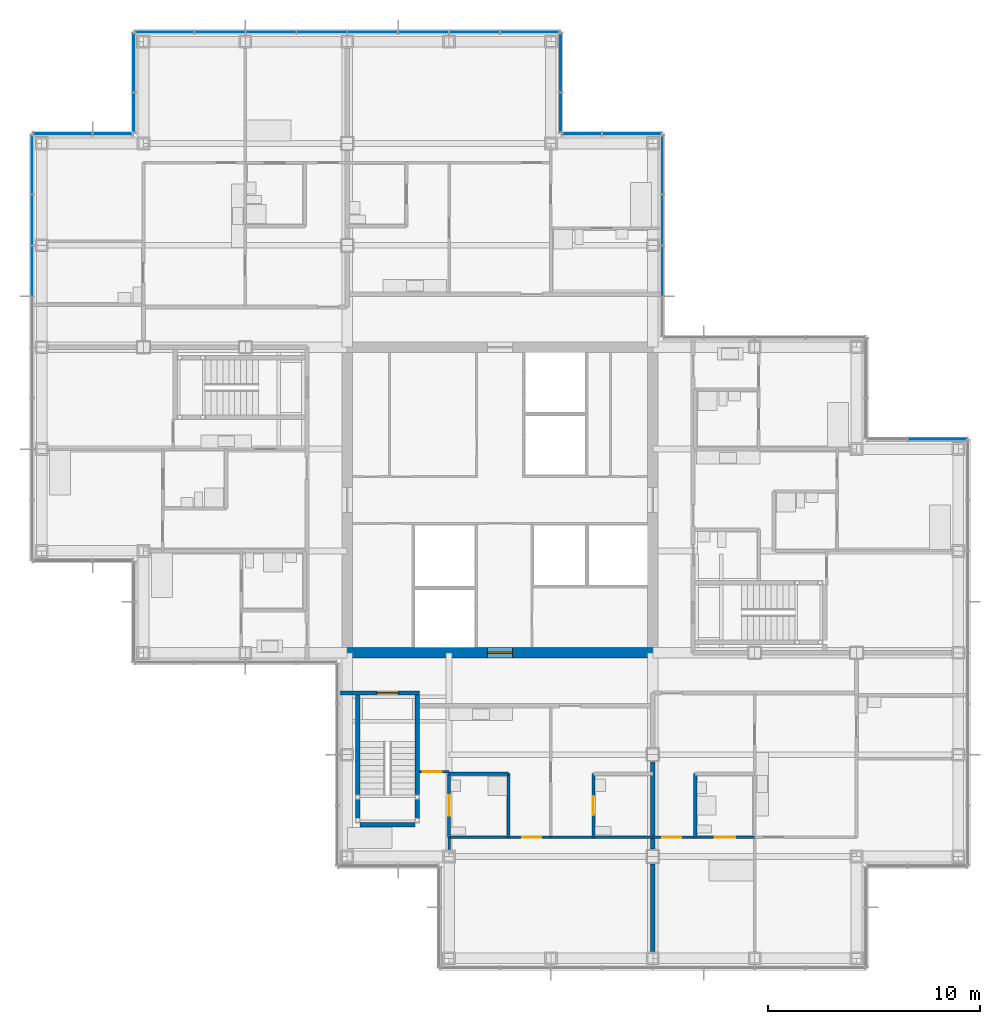
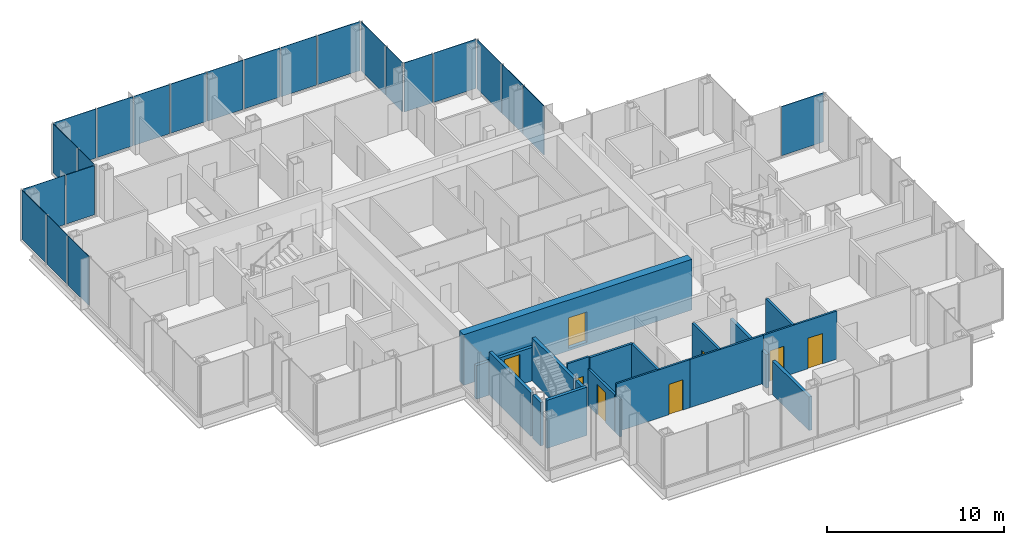
# One storey, part 12 of 19: 23 plates, 19 walls, 8 doors, 8 openings, 8 elements without a shape of their own.
"""IFC4 building model written with IfcOpenShell, lengths in metres."""

from ifc_helpers import new_model, si_unit, direction, frame, frame_2d, origin, origin_2d, place, context, subcontext, project, spatial, rectangle, extrude, material, layer, layer_set, type_object, element, fill, aggregate, save


model = new_model("IFC4")

# Units and contexts
model_context = context("Model", 3, precision=1e-05, world=origin(), true_north=direction((0.0, 1.0)))
body_context = subcontext(model_context, "Body", "Model", "MODEL_VIEW")
ifc_project = project(units=[si_unit("LENGTHUNIT", "METRE"), si_unit("AREAUNIT", "SQUARE_METRE"), si_unit("VOLUMEUNIT", "CUBIC_METRE"), si_unit("PLANEANGLEUNIT", "RADIAN"), si_unit("MASSUNIT", "GRAM", prefix="KILO")], contexts=[model_context])

# Site, building, storey
site_placement = place(None, origin())
site = spatial("IfcSite", under=ifc_project, at=site_placement, CompositionType="ELEMENT")
building_placement = place(site_placement, origin())
building = spatial("IfcBuilding", under=site, at=building_placement, Name="Kvirike Care Tower", CompositionType="ELEMENT")
storey_placement = place(building_placement, frame((0.0, 0.0, 129.5)))
storey = spatial("IfcBuildingStorey", under=building, at=storey_placement, Name="L35", CompositionType="ELEMENT", Elevation=129.5)

# Curtain wall, plate
ifc_material_1 = material(Name="Anodised aluminium stick system", Category="aluminium")
curtain_wall_type = type_object("IfcCurtainWallType", Name="CW-B STICK CURTAIN WALL", PredefinedType="NOTDEFINED", material=ifc_material_1)
curtain_wall_1_placement = place(storey_placement, origin())
curtain_wall_1 = element("IfcCurtainWall", 1, at=curtain_wall_1_placement, inside=storey, type_object=curtain_wall_type, Name="Curtain wall L35 face 2", PredefinedType="NOTDEFINED")
ifc_material_2 = material(Name="Tinted double glazed unit", Category="glass")
ifc_layer_1 = layer(ifc_material_2, 0.035888671875)
ifc_layer_set_1 = layer_set([ifc_layer_1], Name="TINTED VISION PANEL 36")
plate_type = type_object("IfcPlateType", Name="TINTED VISION PANEL 36", PredefinedType="CURTAIN_PANEL", material=ifc_layer_set_1)
plate_1_placement = place(storey_placement, frame((42.2138671875, 38.860107421875, 0.10009765625), z_axis=(0.0, 0.0, 1.0), x_axis=(-1.0, 0.0, 0.0)))
plate_1 = element("IfcPlate", 2, at=plate_1_placement, type_object=plate_type, Name="CW-B panel L35 face 2.1", PredefinedType="CURTAIN_PANEL", context=body_context, shape_type="SweptSolid", body=[
    extrude(rectangle(XDim=2.762451171875, YDim=0.035888671875, at=origin_2d()), origin(), (0.0, 0.0, 1.0), 3.39990234375),
])
aggregate(curtain_wall_1, [plate_1])

# Curtain wall, plates
curtain_wall_2_placement = place(storey_placement, origin())
curtain_wall_2 = element("IfcCurtainWall", 3, at=curtain_wall_2_placement, inside=storey, type_object=curtain_wall_type, Name="Curtain wall L35 face 5", PredefinedType="NOTDEFINED")
plate_2_placement = place(storey_placement, frame((29.260009765625, 46.800048828125, 0.10009765625), z_axis=(0.0, 0.0, 1.0), x_axis=(0.0, 1.0, 0.0)))
plate_2 = element("IfcPlate", 4, at=plate_2_placement, type_object=plate_type, Name="CW-B panel L35 face 5.2", PredefinedType="CURTAIN_PANEL", context=body_context, shape_type="SweptSolid", body=[
    extrude(rectangle(XDim=2.3349609375, YDim=0.035888671875, at=origin_2d()), origin(), (0.0, 0.0, 1.0), 3.39990234375),
])
plate_3_placement = place(storey_placement, frame((29.260009765625, 49.199951171875, 0.10009765625), z_axis=(0.0, 0.0, 1.0), x_axis=(0.0, 1.0, 0.0)))
plate_3 = element("IfcPlate", 5, at=plate_3_placement, type_object=plate_type, Name="CW-B panel L35 face 5.3", PredefinedType="CURTAIN_PANEL", context=body_context, shape_type="SweptSolid", body=[
    extrude(rectangle(XDim=2.3349609375, YDim=0.035888671875, at=origin_2d()), origin(), (0.0, 0.0, 1.0), 3.39990234375),
])
plate_4_placement = place(storey_placement, frame((29.260009765625, 51.813720703125, 0.10009765625), z_axis=(0.0, 0.0, 1.0), x_axis=(0.0, 1.0, 0.0)))
plate_4 = element("IfcPlate", 6, at=plate_4_placement, type_object=plate_type, Name="CW-B panel L35 face 5.4", PredefinedType="CURTAIN_PANEL", context=body_context, shape_type="SweptSolid", body=[
    extrude(rectangle(XDim=2.762451171875, YDim=0.035888671875, at=origin_2d()), origin(), (0.0, 0.0, 1.0), 3.39990234375),
])
aggregate(curtain_wall_2, [plate_2, plate_3, plate_4])

curtain_wall_3_placement = place(storey_placement, origin())
curtain_wall_3 = element("IfcCurtainWall", 7, at=curtain_wall_3_placement, inside=storey, type_object=curtain_wall_type, Name="Curtain wall L35 face 6", PredefinedType="NOTDEFINED")
plate_5_placement = place(storey_placement, frame((27.813720703125, 53.260009765625, 0.10009765625), z_axis=(0.0, 0.0, 1.0), x_axis=(-1.0, 0.0, 0.0)))
plate_5 = element("IfcPlate", 8, at=plate_5_placement, type_object=plate_type, Name="CW-B panel L35 face 6.1", PredefinedType="CURTAIN_PANEL", context=body_context, shape_type="SweptSolid", body=[
    extrude(rectangle(XDim=2.762451171875, YDim=0.035888671875, at=origin_2d()), origin(), (0.0, 0.0, 1.0), 3.39990234375),
])
plate_6_placement = place(storey_placement, frame((25.4462890625, 53.260009765625, 0.10009765625), z_axis=(0.0, 0.0, 1.0), x_axis=(-1.0, 0.0, 0.0)))
plate_6 = element("IfcPlate", 9, at=plate_6_placement, type_object=plate_type, Name="CW-B panel L35 face 6.2", PredefinedType="CURTAIN_PANEL", context=body_context, shape_type="SweptSolid", body=[
    extrude(rectangle(XDim=1.842529296875, YDim=0.035888671875, at=origin_2d()), origin(), (0.0, 0.0, 1.0), 3.39990234375),
])
aggregate(curtain_wall_3, [plate_5, plate_6])

curtain_wall_4_placement = place(storey_placement, origin())
curtain_wall_4 = element("IfcCurtainWall", 10, at=curtain_wall_4_placement, inside=storey, type_object=curtain_wall_type, Name="Curtain wall L35 face 7", PredefinedType="NOTDEFINED")
plate_7_placement = place(storey_placement, frame((24.4599609375, 54.246337890625, 0.10009765625), z_axis=(0.0, 0.0, 1.0), x_axis=(0.0, 1.0, 0.0)))
plate_7 = element("IfcPlate", 11, at=plate_7_placement, type_object=plate_type, Name="CW-B panel L35 face 7.1", PredefinedType="CURTAIN_PANEL", context=body_context, shape_type="SweptSolid", body=[
    extrude(rectangle(XDim=1.842529296875, YDim=0.035888671875, at=origin_2d()), origin(), (0.0, 0.0, 1.0), 3.39990234375),
])
plate_8_placement = place(storey_placement, frame((24.4599609375, 56.61376953125, 0.10009765625), z_axis=(0.0, 0.0, 1.0), x_axis=(0.0, 1.0, 0.0)))
plate_8 = element("IfcPlate", 12, at=plate_8_placement, type_object=plate_type, Name="CW-B panel L35 face 7.2", PredefinedType="CURTAIN_PANEL", context=body_context, shape_type="SweptSolid", body=[
    extrude(rectangle(XDim=2.762451171875, YDim=0.035888671875, at=origin_2d()), origin(), (0.0, 0.0, 1.0), 3.39990234375),
])
aggregate(curtain_wall_4, [plate_7, plate_8])

curtain_wall_5_placement = place(storey_placement, origin())
curtain_wall_5 = element("IfcCurtainWall", 13, at=curtain_wall_5_placement, inside=storey, type_object=curtain_wall_type, Name="Curtain wall L35 face 8", PredefinedType="NOTDEFINED")
plate_9_placement = place(storey_placement, frame((23.013671875, 58.06005859375, 0.10009765625), z_axis=(0.0, 0.0, 1.0), x_axis=(-1.0, 0.0, 0.0)))
plate_9 = element("IfcPlate", 14, at=plate_9_placement, type_object=plate_type, Name="CW-B panel L35 face 8.1", PredefinedType="CURTAIN_PANEL", context=body_context, shape_type="SweptSolid", body=[
    extrude(rectangle(XDim=2.762451171875, YDim=0.035888671875, at=origin_2d()), origin(), (0.0, 0.0, 1.0), 3.39990234375),
])
plate_10_placement = place(storey_placement, frame((20.39990234375, 58.06005859375, 0.10009765625), z_axis=(0.0, 0.0, 1.0), x_axis=(-1.0, 0.0, 0.0)))
plate_10 = element("IfcPlate", 15, at=plate_10_placement, type_object=plate_type, Name="CW-B panel L35 face 8.2", PredefinedType="CURTAIN_PANEL", context=body_context, shape_type="SweptSolid", body=[
    extrude(rectangle(XDim=2.3349609375, YDim=0.035888671875, at=origin_2d()), origin(), (0.0, 0.0, 1.0), 3.39990234375),
])
plate_11_placement = place(storey_placement, frame((18.0, 58.06005859375, 0.10009765625), z_axis=(0.0, 0.0, 1.0), x_axis=(-1.0, 0.0, 0.0)))
plate_11 = element("IfcPlate", 16, at=plate_11_placement, type_object=plate_type, Name="CW-B panel L35 face 8.3", PredefinedType="CURTAIN_PANEL", context=body_context, shape_type="SweptSolid", body=[
    extrude(rectangle(XDim=2.3349609375, YDim=0.035888671875, at=origin_2d()), origin(), (0.0, 0.0, 1.0), 3.39990234375),
])
plate_12_placement = place(storey_placement, frame((15.60009765625, 58.06005859375, 0.10009765625), z_axis=(0.0, 0.0, 1.0), x_axis=(-1.0, 0.0, 0.0)))
plate_12 = element("IfcPlate", 17, at=plate_12_placement, type_object=plate_type, Name="CW-B panel L35 face 8.4", PredefinedType="CURTAIN_PANEL", context=body_context, shape_type="SweptSolid", body=[
    extrude(rectangle(XDim=2.3349609375, YDim=0.035888671875, at=origin_2d()), origin(), (0.0, 0.0, 1.0), 3.39990234375),
])
plate_13_placement = place(storey_placement, frame((13.199951171875, 58.06005859375, 0.10009765625), z_axis=(0.0, 0.0, 1.0), x_axis=(-1.0, 0.0, 0.0)))
plate_13 = element("IfcPlate", 18, at=plate_13_placement, type_object=plate_type, Name="CW-B panel L35 face 8.5", PredefinedType="CURTAIN_PANEL", context=body_context, shape_type="SweptSolid", body=[
    extrude(rectangle(XDim=2.3349609375, YDim=0.035888671875, at=origin_2d()), origin(), (0.0, 0.0, 1.0), 3.39990234375),
])
plate_14_placement = place(storey_placement, frame((10.800048828125, 58.06005859375, 0.10009765625), z_axis=(0.0, 0.0, 1.0), x_axis=(-1.0, 0.0, 0.0)))
plate_14 = element("IfcPlate", 19, at=plate_14_placement, type_object=plate_type, Name="CW-B panel L35 face 8.6", PredefinedType="CURTAIN_PANEL", context=body_context, shape_type="SweptSolid", body=[
    extrude(rectangle(XDim=2.3349609375, YDim=0.035888671875, at=origin_2d()), origin(), (0.0, 0.0, 1.0), 3.39990234375),
])
plate_15_placement = place(storey_placement, frame((8.39990234375, 58.06005859375, 0.10009765625), z_axis=(0.0, 0.0, 1.0), x_axis=(-1.0, 0.0, 0.0)))
plate_15 = element("IfcPlate", 20, at=plate_15_placement, type_object=plate_type, Name="CW-B panel L35 face 8.7", PredefinedType="CURTAIN_PANEL", context=body_context, shape_type="SweptSolid", body=[
    extrude(rectangle(XDim=2.3349609375, YDim=0.035888671875, at=origin_2d()), origin(), (0.0, 0.0, 1.0), 3.39990234375),
])
plate_16_placement = place(storey_placement, frame((5.7861328125, 58.06005859375, 0.10009765625), z_axis=(0.0, 0.0, 1.0), x_axis=(-1.0, 0.0, 0.0)))
plate_16 = element("IfcPlate", 21, at=plate_16_placement, type_object=plate_type, Name="CW-B panel L35 face 8.8", PredefinedType="CURTAIN_PANEL", context=body_context, shape_type="SweptSolid", body=[
    extrude(rectangle(XDim=2.762451171875, YDim=0.035888671875, at=origin_2d()), origin(), (0.0, 0.0, 1.0), 3.39990234375),
])
aggregate(curtain_wall_5, [plate_9, plate_10, plate_11, plate_12, plate_13, plate_14, plate_15, plate_16])

curtain_wall_6_placement = place(storey_placement, origin())
curtain_wall_6 = element("IfcCurtainWall", 22, at=curtain_wall_6_placement, inside=storey, type_object=curtain_wall_type, Name="Curtain wall L35 face 9", PredefinedType="NOTDEFINED")
plate_17_placement = place(storey_placement, frame((4.340087890625, 56.61376953125, 0.10009765625), z_axis=(0.0, 0.0, 1.0), x_axis=(0.0, -1.0, 0.0)))
plate_17 = element("IfcPlate", 23, at=plate_17_placement, type_object=plate_type, Name="CW-B panel L35 face 9.1", PredefinedType="CURTAIN_PANEL", context=body_context, shape_type="SweptSolid", body=[
    extrude(rectangle(XDim=2.762451171875, YDim=0.035888671875, at=origin_2d()), origin(), (0.0, 0.0, 1.0), 3.39990234375),
])
plate_18_placement = place(storey_placement, frame((4.340087890625, 54.246337890625, 0.10009765625), z_axis=(0.0, 0.0, 1.0), x_axis=(0.0, -1.0, 0.0)))
plate_18 = element("IfcPlate", 24, at=plate_18_placement, type_object=plate_type, Name="CW-B panel L35 face 9.2", PredefinedType="CURTAIN_PANEL", context=body_context, shape_type="SweptSolid", body=[
    extrude(rectangle(XDim=1.842529296875, YDim=0.035888671875, at=origin_2d()), origin(), (0.0, 0.0, 1.0), 3.39990234375),
])
aggregate(curtain_wall_6, [plate_17, plate_18])

curtain_wall_7_placement = place(storey_placement, origin())
curtain_wall_7 = element("IfcCurtainWall", 25, at=curtain_wall_7_placement, inside=storey, type_object=curtain_wall_type, Name="Curtain wall L35 face 10", PredefinedType="NOTDEFINED")
plate_19_placement = place(storey_placement, frame((3.353759765625, 53.260009765625, 0.10009765625), z_axis=(0.0, 0.0, 1.0), x_axis=(-1.0, 0.0, 0.0)))
plate_19 = element("IfcPlate", 26, at=plate_19_placement, type_object=plate_type, Name="CW-B panel L35 face 10.1", PredefinedType="CURTAIN_PANEL", context=body_context, shape_type="SweptSolid", body=[
    extrude(rectangle(XDim=1.842529296875, YDim=0.035888671875, at=origin_2d()), origin(), (0.0, 0.0, 1.0), 3.39990234375),
])
plate_20_placement = place(storey_placement, frame((0.986328125, 53.260009765625, 0.10009765625), z_axis=(0.0, 0.0, 1.0), x_axis=(-1.0, 0.0, 0.0)))
plate_20 = element("IfcPlate", 27, at=plate_20_placement, type_object=plate_type, Name="CW-B panel L35 face 10.2", PredefinedType="CURTAIN_PANEL", context=body_context, shape_type="SweptSolid", body=[
    extrude(rectangle(XDim=2.762451171875, YDim=0.035888671875, at=origin_2d()), origin(), (0.0, 0.0, 1.0), 3.39990234375),
])
aggregate(curtain_wall_7, [plate_19, plate_20])

curtain_wall_8_placement = place(storey_placement, origin())
curtain_wall_8 = element("IfcCurtainWall", 28, at=curtain_wall_8_placement, inside=storey, type_object=curtain_wall_type, Name="Curtain wall L35 face 11", PredefinedType="NOTDEFINED")
plate_21_placement = place(storey_placement, frame((-0.4599609375, 51.813720703125, 0.10009765625), z_axis=(0.0, 0.0, 1.0), x_axis=(0.0, -1.0, 0.0)))
plate_21 = element("IfcPlate", 29, at=plate_21_placement, type_object=plate_type, Name="CW-B panel L35 face 11.1", PredefinedType="CURTAIN_PANEL", context=body_context, shape_type="SweptSolid", body=[
    extrude(rectangle(XDim=2.762451171875, YDim=0.035888671875, at=origin_2d()), origin(), (0.0, 0.0, 1.0), 3.39990234375),
])
plate_22_placement = place(storey_placement, frame((-0.4599609375, 49.199951171875, 0.10009765625), z_axis=(0.0, 0.0, 1.0), x_axis=(0.0, -1.0, 0.0)))
plate_22 = element("IfcPlate", 30, at=plate_22_placement, type_object=plate_type, Name="CW-B panel L35 face 11.2", PredefinedType="CURTAIN_PANEL", context=body_context, shape_type="SweptSolid", body=[
    extrude(rectangle(XDim=2.3349609375, YDim=0.035888671875, at=origin_2d()), origin(), (0.0, 0.0, 1.0), 3.39990234375),
])
plate_23_placement = place(storey_placement, frame((-0.4599609375, 46.800048828125, 0.10009765625), z_axis=(0.0, 0.0, 1.0), x_axis=(0.0, -1.0, 0.0)))
plate_23 = element("IfcPlate", 31, at=plate_23_placement, type_object=plate_type, Name="CW-B panel L35 face 11.3", PredefinedType="CURTAIN_PANEL", context=body_context, shape_type="SweptSolid", body=[
    extrude(rectangle(XDim=2.3349609375, YDim=0.035888671875, at=origin_2d()), origin(), (0.0, 0.0, 1.0), 3.39990234375),
])
aggregate(curtain_wall_8, [plate_21, plate_22, plate_23])

# Wall, opening, door
ifc_material_3 = material(Name="Moisture-resistant board partition", Category="gypsum")
ifc_layer_2 = layer(ifc_material_3, 0.14990234375)
ifc_layer_set_2 = layer_set([ifc_layer_2], Name="BATHROOM WALL 150")
wall_type_1 = type_object("IfcWallType", Name="BATHROOM WALL 150", PredefinedType="PARTITIONING", material=ifc_layer_set_2)
wall_1_placement = place(storey_placement, frame((26.0, 20.10009765625, 0.0), z_axis=(0.0, 0.0, 1.0), x_axis=(0.0, 1.0, 0.0)))
wall_1 = element("IfcWall", 32, at=wall_1_placement, inside=storey, type_object=wall_type_1, Name="Bathroom Wall 150 L35", PredefinedType="PARTITIONING", context=body_context, shape_type="SweptSolid", body=[
    extrude(rectangle(XDim=3.0, YDim=0.14990234375, at=frame_2d((1.5, 0.0))), origin(), (0.0, 0.0, 1.0), 3.330078125),
])
opening_1_placement = place(wall_1_placement, frame((1.050048828125, 0.0, 0.0)))
opening_1 = element("IfcOpeningElement", 33, at=opening_1_placement, cuts=wall_1, Name="Opening 35-017", PredefinedType="OPENING", context=body_context, shape_type="SweptSolid", body=[
    extrude(rectangle(XDim=0.89990234375, YDim=2.10009765625, at=frame_2d((0.449951171875, 1.050048828125))), frame((0.0, 0.08544921875, 0.0), z_axis=(0.0, -1.0, 0.0), x_axis=(1.0, 0.0, 0.0)), (0.0, 0.0, 1.0), 0.1708984375),
])
ifc_material_4 = material(Name="Timber door set", Category="wood")
door_type_1 = type_object("IfcDoorType", Name="BATHROOM DOOR 900", OperationType="SINGLE_SWING_RIGHT", PredefinedType="DOOR", material=ifc_material_4)
door_1_placement = place(opening_1_placement, frame((0.89990234375, 0.0, 0.0), z_axis=(0.0, 0.0, 1.0), x_axis=(-1.0, 0.0, 0.0)))
door_1 = element("IfcDoor", 34, at=door_1_placement, inside=storey, type_object=door_type_1, Name="Accessible WC door", OperationType="SINGLE_SWING_LEFT", OverallHeight=2.10009765625, OverallWidth=0.89990234375, PredefinedType="DOOR", context=body_context, shape_type="SweptSolid", body=[
    extrude(rectangle(XDim=0.89990234375, YDim=2.10009765625, at=frame_2d((0.449951171875, 1.050048828125))), frame((0.0, 0.02197265625, 0.0), z_axis=(0.0, -1.0, 0.0), x_axis=(1.0, 0.0, 0.0)), (0.0, 0.0, 1.0), 0.0439453125),
])
fill(opening_1, door_1)

wall_2_placement = place(storey_placement, frame((19.199951171875, 20.10009765625, 0.0), z_axis=(0.0, 0.0, 1.0), x_axis=(0.0, 1.0, 0.0)))
wall_2 = element("IfcWall", 35, at=wall_2_placement, inside=storey, type_object=wall_type_1, Name="Bathroom Wall 150 L35", PredefinedType="PARTITIONING", context=body_context, shape_type="SweptSolid", body=[
    extrude(rectangle(XDim=3.0, YDim=0.14990234375, at=frame_2d((1.5, 0.0))), origin(), (0.0, 0.0, 1.0), 2.550048828125),
])
opening_2_placement = place(wall_2_placement, frame((1.02490234375, 0.0, 0.0)))
opening_2 = element("IfcOpeningElement", 36, at=opening_2_placement, cuts=wall_2, Name="Opening 35-018", PredefinedType="OPENING", context=body_context, shape_type="SweptSolid", body=[
    extrude(rectangle(XDim=0.949951171875, YDim=2.10009765625, at=frame_2d((0.47509765625, 1.050048828125))), frame((0.0, 0.08544921875, 0.0), z_axis=(0.0, -1.0, 0.0), x_axis=(1.0, 0.0, 0.0)), (0.0, 0.0, 1.0), 0.1708984375),
])
ifc_material_5 = material(Name="Timber door set", Category="wood")
door_type_2 = type_object("IfcDoorType", Name="EN-SUITE SLIDING DOOR 950", OperationType="SLIDING_TO_LEFT", PredefinedType="DOOR", material=ifc_material_5)
door_2_placement = place(opening_2_placement, origin())
door_2 = element("IfcDoor", 37, at=door_2_placement, inside=storey, type_object=door_type_2, Name="En-suite door", OperationType="SLIDING_TO_LEFT", OverallHeight=2.10009765625, OverallWidth=0.949951171875, PredefinedType="DOOR", context=body_context, shape_type="SweptSolid", body=[
    extrude(rectangle(XDim=0.949951171875, YDim=2.10009765625, at=frame_2d((0.47509765625, 1.050048828125))), frame((0.0, 0.02197265625, 0.0), z_axis=(0.0, -1.0, 0.0), x_axis=(1.0, 0.0, 0.0)), (0.0, 0.0, 1.0), 0.0439453125),
])
fill(opening_2, door_2)

# Walls
wall_3_placement = place(storey_placement, frame((22.0, 20.10009765625, 0.0), z_axis=(0.0, 0.0, 1.0), x_axis=(0.0, 1.0, 0.0)))
element("IfcWall", 38, at=wall_3_placement, inside=storey, type_object=wall_type_1, Name="Bathroom Wall 150 L35", PredefinedType="PARTITIONING", context=body_context, shape_type="SweptSolid", body=[
    extrude(rectangle(XDim=3.0, YDim=0.14990234375, at=frame_2d((1.5, 0.0))), origin(), (0.0, 0.0, 1.0), 3.330078125),
])
wall_4_placement = place(storey_placement, frame((19.199951171875, 23.10009765625, 0.0), z_axis=(0.0, 0.0, 1.0), x_axis=(1.0, 0.0, 0.0)))
element("IfcWall", 39, at=wall_4_placement, inside=storey, type_object=wall_type_1, Name="Bathroom Wall 150 L35", PredefinedType="PARTITIONING", context=body_context, shape_type="SweptSolid", body=[
    extrude(rectangle(XDim=2.800048828125, YDim=0.14990234375, at=frame_2d((1.39990234375, 0.0))), origin(), (0.0, 0.0, 1.0), 3.330078125),
])
wall_5_placement = place(storey_placement, frame((30.800048828125, 20.10009765625, 0.0), z_axis=(0.0, 0.0, 1.0), x_axis=(0.0, 1.0, 0.0)))
element("IfcWall", 40, at=wall_5_placement, inside=storey, type_object=wall_type_1, Name="Bathroom Wall 150 L35", PredefinedType="PARTITIONING", context=body_context, shape_type="SweptSolid", body=[
    extrude(rectangle(XDim=3.0, YDim=0.14990234375, at=frame_2d((1.5, 0.0))), origin(), (0.0, 0.0, 1.0), 3.330078125),
])

# Wall, opening, door
ifc_material_6 = material(Name="Concrete C50/60", Category="concrete")
ifc_layer_3 = layer(ifc_material_6, 0.5)
ifc_layer_set_3 = layer_set([ifc_layer_3], Name="CORE WALL 500 C50-60")
wall_type_2 = type_object("IfcWallType", Name="CORE WALL 500 C50-60", PredefinedType="SHEAR", material=ifc_layer_set_3)
wall_6_placement = place(storey_placement, frame((14.14990234375, 28.800048828125, -0.169921875), z_axis=(0.0, 0.0, 1.0), x_axis=(1.0, 0.0, 0.0)))
wall_6 = element("IfcWall", 41, at=wall_6_placement, inside=storey, type_object=wall_type_2, Name="Core wall S L35", PredefinedType="SHEAR", context=body_context, shape_type="SweptSolid", body=[
    extrude(rectangle(XDim=14.900146484375, YDim=0.5, at=frame_2d((7.4501953125, 0.0))), origin(), (0.0, 0.0, 1.0), 3.5),
])
opening_3_placement = place(wall_6_placement, frame((6.85009765625, 0.0, 0.169921875)))
opening_3 = element("IfcOpeningElement", 42, at=opening_3_placement, cuts=wall_6, Name="Opening 35-056", PredefinedType="OPENING", context=body_context, shape_type="SweptSolid", body=[
    extrude(rectangle(XDim=1.199951171875, YDim=2.10009765625, at=frame_2d((0.60009765625, 1.050048828125))), frame((0.0, 0.260498046875, 0.0), z_axis=(0.0, -1.0, 0.0), x_axis=(1.0, 0.0, 0.0)), (0.0, 0.0, 1.0), 0.52099609375),
])
ifc_material_7 = material(Name="Timber door set", Category="wood")
door_type_3 = type_object("IfcDoorType", Name="CORE DOOR 1200", OperationType="SINGLE_SWING_LEFT", PredefinedType="DOOR", material=ifc_material_7)
door_3_placement = place(opening_3_placement, origin())
door_3 = element("IfcDoor", 43, at=door_3_placement, inside=storey, type_object=door_type_3, Name="Core door S L35", OperationType="SINGLE_SWING_LEFT", OverallHeight=2.10009765625, OverallWidth=1.199951171875, PredefinedType="DOOR", context=body_context, shape_type="SweptSolid", body=[
    extrude(rectangle(XDim=1.199951171875, YDim=2.10009765625, at=frame_2d((0.60009765625, 1.050048828125))), frame((0.0, 0.02685546875, 0.0), z_axis=(0.0, -1.0, 0.0), x_axis=(1.0, 0.0, 0.0)), (0.0, 0.0, 1.0), 0.053955078125),
])
fill(opening_3, door_3)

ifc_material_8 = material(Name="Plasterboard partition", Category="gypsum")
ifc_layer_4 = layer(ifc_material_8, 0.1201171875)
ifc_layer_set_4 = layer_set([ifc_layer_4], Name="PARTITION 120")
wall_type_3 = type_object("IfcWallType", Name="PARTITION 120", PredefinedType="PARTITIONING", material=ifc_layer_set_4)
wall_7_placement = place(storey_placement, frame((17.800048828125, 23.199951171875, 0.0), z_axis=(0.0, 0.0, 1.0), x_axis=(1.0, 0.0, 0.0)))
wall_7 = element("IfcWall", 44, at=wall_7_placement, inside=storey, type_object=wall_type_3, Name="Partition 120 L35", PredefinedType="PARTITIONING", context=body_context, shape_type="SweptSolid", body=[
    extrude(rectangle(XDim=1.39990234375, YDim=0.1201171875, at=frame_2d((0.699951171875, 0.0))), origin(), (0.0, 0.0, 1.0), 3.330078125),
])
opening_4_placement = place(wall_7_placement, frame((0.14990234375, 0.0, 0.0)))
opening_4 = element("IfcOpeningElement", 45, at=opening_4_placement, cuts=wall_7, Name="Opening 35-020", PredefinedType="OPENING", context=body_context, shape_type="SweptSolid", body=[
    extrude(rectangle(XDim=0.89990234375, YDim=2.10009765625, at=frame_2d((0.449951171875, 1.050048828125))), frame((0.0, 0.070556640625, 0.0), z_axis=(0.0, -1.0, 0.0), x_axis=(1.0, 0.0, 0.0)), (0.0, 0.0, 1.0), 0.14111328125),
])
ifc_material_9 = material(Name="Timber door set", Category="wood")
door_type_4 = type_object("IfcDoorType", Name="INTERNAL DOOR 900", OperationType="SINGLE_SWING_LEFT", PredefinedType="DOOR", material=ifc_material_9)
door_4_placement = place(opening_4_placement, frame((0.89990234375, 0.0, 0.0), z_axis=(0.0, 0.0, 1.0), x_axis=(-1.0, 0.0, 0.0)))
door_4 = element("IfcDoor", 46, at=door_4_placement, inside=storey, type_object=door_type_4, Name="Assisted living suite door", OperationType="SINGLE_SWING_LEFT", OverallHeight=2.10009765625, OverallWidth=0.89990234375, PredefinedType="DOOR", context=body_context, shape_type="SweptSolid", body=[
    extrude(rectangle(XDim=0.89990234375, YDim=2.10009765625, at=frame_2d((0.449951171875, 1.050048828125))), frame((0.0, 0.02197265625, 0.0), z_axis=(0.0, -1.0, 0.0), x_axis=(1.0, 0.0, 0.0)), (0.0, 0.0, 1.0), 0.0439453125),
])
fill(opening_4, door_4)

wall_8_placement = place(storey_placement, frame((19.199951171875, 20.10009765625, 0.0), z_axis=(0.0, 0.0, 1.0), x_axis=(1.0, 0.0, 0.0)))
wall_8 = element("IfcWall", 47, at=wall_8_placement, inside=storey, type_object=wall_type_3, Name="Partition 120 L35", PredefinedType="PARTITIONING", context=body_context, shape_type="SweptSolid", body=[
    extrude(rectangle(XDim=4.800048828125, YDim=0.1201171875, at=frame_2d((2.39990234375, 0.0))), origin(), (0.0, 0.0, 1.0), 3.330078125),
])
opening_5_placement = place(wall_8_placement, frame((3.449951171875, 0.0, 0.0)))
opening_5 = element("IfcOpeningElement", 48, at=opening_5_placement, cuts=wall_8, Name="Opening 35-021", PredefinedType="OPENING", context=body_context, shape_type="SweptSolid", body=[
    extrude(rectangle(XDim=0.89990234375, YDim=2.10009765625, at=frame_2d((0.449951171875, 1.050048828125))), frame((0.0, 0.070556640625, 0.0), z_axis=(0.0, -1.0, 0.0), x_axis=(1.0, 0.0, 0.0)), (0.0, 0.0, 1.0), 0.14111328125),
])
door_5_placement = place(opening_5_placement, origin())
door_5 = element("IfcDoor", 49, at=door_5_placement, inside=storey, type_object=door_type_4, Name="Suite sitting room door", OperationType="SINGLE_SWING_LEFT", OverallHeight=2.10009765625, OverallWidth=0.89990234375, PredefinedType="DOOR", context=body_context, shape_type="SweptSolid", body=[
    extrude(rectangle(XDim=0.89990234375, YDim=2.10009765625, at=frame_2d((0.449951171875, 1.050048828125))), frame((0.0, 0.02197265625, 0.0), z_axis=(0.0, -1.0, 0.0), x_axis=(1.0, 0.0, 0.0)), (0.0, 0.0, 1.0), 0.0439453125),
])
fill(opening_5, door_5)

# Walls
wall_9_placement = place(storey_placement, frame((24.0, 20.10009765625, 0.0), z_axis=(0.0, 0.0, 1.0), x_axis=(1.0, 0.0, 0.0)))
element("IfcWall", 50, at=wall_9_placement, inside=storey, type_object=wall_type_3, Name="Partition 120 L35", PredefinedType="PARTITIONING", context=body_context, shape_type="SweptSolid", body=[
    extrude(rectangle(XDim=4.800048828125, YDim=0.1201171875, at=frame_2d((2.39990234375, 0.0))), origin(), (0.0, 0.0, 1.0), 3.330078125),
])
wall_10_placement = place(storey_placement, frame((19.199951171875, 19.52001953125, 0.0), z_axis=(0.0, 0.0, 1.0), x_axis=(0.0, 1.0, 0.0)))
element("IfcWall", 51, at=wall_10_placement, inside=storey, type_object=wall_type_3, Name="Partition 120 L35", PredefinedType="PARTITIONING", context=body_context, shape_type="SweptSolid", body=[
    extrude(rectangle(XDim=0.580078125, YDim=0.1201171875, at=frame_2d((0.2900390625, 0.0))), origin(), (0.0, 0.0, 1.0), 2.550048828125),
])

# Wall, openings, doors
wall_11_placement = place(storey_placement, frame((28.800048828125, 20.10009765625, 0.0), z_axis=(0.0, 0.0, 1.0), x_axis=(1.0, 0.0, 0.0)))
wall_11 = element("IfcWall", 52, at=wall_11_placement, inside=storey, type_object=wall_type_3, Name="Partition 120 L35", PredefinedType="PARTITIONING", context=body_context, shape_type="SweptSolid", body=[
    extrude(rectangle(XDim=4.800048828125, YDim=0.1201171875, at=frame_2d((2.39990234375, 0.0))), origin(), (0.0, 0.0, 1.0), 3.330078125),
])
opening_6_placement = place(wall_11_placement, frame((0.449951171875, 0.0, 0.0)))
opening_6 = element("IfcOpeningElement", 53, at=opening_6_placement, cuts=wall_11, Name="Opening 35-031", PredefinedType="OPENING", context=body_context, shape_type="SweptSolid", body=[
    extrude(rectangle(XDim=0.89990234375, YDim=2.10009765625, at=frame_2d((0.449951171875, 1.050048828125))), frame((0.0, 0.070556640625, 0.0), z_axis=(0.0, -1.0, 0.0), x_axis=(1.0, 0.0, 0.0)), (0.0, 0.0, 1.0), 0.14111328125),
])
opening_7_placement = place(wall_11_placement, frame((2.925048828125, 0.0, 0.0)))
opening_7 = element("IfcOpeningElement", 54, at=opening_7_placement, cuts=wall_11, Name="Opening 35-032", PredefinedType="OPENING", context=body_context, shape_type="SweptSolid", body=[
    extrude(rectangle(XDim=0.949951171875, YDim=2.10009765625, at=frame_2d((0.47509765625, 1.050048828125))), frame((0.0, 0.070556640625, 0.0), z_axis=(0.0, -1.0, 0.0), x_axis=(1.0, 0.0, 0.0)), (0.0, 0.0, 1.0), 0.14111328125),
])
door_6_placement = place(opening_7_placement, origin())
door_6 = element("IfcDoor", 55, at=door_6_placement, inside=storey, type_object=door_type_2, Name="En-suite door", OperationType="SLIDING_TO_LEFT", OverallHeight=2.10009765625, OverallWidth=0.949951171875, PredefinedType="DOOR", context=body_context, shape_type="SweptSolid", body=[
    extrude(rectangle(XDim=0.949951171875, YDim=2.10009765625, at=frame_2d((0.47509765625, 1.050048828125))), frame((0.0, 0.02197265625, 0.0), z_axis=(0.0, -1.0, 0.0), x_axis=(1.0, 0.0, 0.0)), (0.0, 0.0, 1.0), 0.0439453125),
])
fill(opening_7, door_6)
door_7_placement = place(opening_6_placement, origin())
door_7 = element("IfcDoor", 56, at=door_7_placement, inside=storey, type_object=door_type_4, Name="Assisted living suite door", OperationType="SINGLE_SWING_RIGHT", OverallHeight=2.10009765625, OverallWidth=0.89990234375, PredefinedType="DOOR", context=body_context, shape_type="SweptSolid", body=[
    extrude(rectangle(XDim=0.89990234375, YDim=2.10009765625, at=frame_2d((0.449951171875, 1.050048828125))), frame((0.0, 0.02197265625, 0.0), z_axis=(0.0, -1.0, 0.0), x_axis=(1.0, 0.0, 0.0)), (0.0, 0.0, 1.0), 0.0439453125),
])
fill(opening_6, door_7)

# Walls
ifc_material_10 = material(Name="Plasterboard party wall", Category="gypsum")
ifc_layer_5 = layer(ifc_material_10, 0.199951171875)
ifc_layer_set_5 = layer_set([ifc_layer_5], Name="PARTY WALL 200")
wall_type_4 = type_object("IfcWallType", Name="PARTY WALL 200", PredefinedType="PARTITIONING", material=ifc_layer_set_5)
wall_12_placement = place(storey_placement, frame((28.800048828125, 14.719970703125, 0.0), z_axis=(0.0, 0.0, 1.0), x_axis=(0.0, 1.0, 0.0)))
element("IfcWall", 57, at=wall_12_placement, inside=storey, type_object=wall_type_4, Name="Party Wall 200 L35", PredefinedType="PARTITIONING", context=body_context, shape_type="SweptSolid", body=[
    extrude(rectangle(XDim=4.135009765625, YDim=0.199951171875, at=frame_2d((2.0673828125, 0.0))), origin(), (0.0, 0.0, 1.0), 2.320068359375),
])
wall_13_placement = place(storey_placement, frame((28.800048828125, 19.544921875, 0.0), z_axis=(0.0, 0.0, 1.0), x_axis=(0.0, 1.0, 0.0)))
element("IfcWall", 58, at=wall_13_placement, inside=storey, type_object=wall_type_4, Name="Party Wall 200 L35", PredefinedType="PARTITIONING", context=body_context, shape_type="SweptSolid", body=[
    extrude(rectangle(XDim=4.110107421875, YDim=0.199951171875, at=frame_2d((2.05517578125, 0.0))), origin(), (0.0, 0.0, 1.0), 2.320068359375),
])
ifc_material_11 = material(Name="Concrete C40/50", Category="concrete")
ifc_layer_6 = layer(ifc_material_11, 0.199951171875)
ifc_layer_set_6 = layer_set([ifc_layer_6], Name="STAIR WALL 200")
wall_type_5 = type_object("IfcWallType", Name="STAIR WALL 200", PredefinedType="SOLIDWALL", material=ifc_layer_set_6)
wall_14_placement = place(storey_placement, frame((14.89990234375, 21.0, 0.0), z_axis=(0.0, 0.0, 1.0), x_axis=(0.0, 1.0, 0.0)))
element("IfcWall", 59, at=wall_14_placement, inside=storey, type_object=wall_type_5, Name="Stair Wall 200 L35", PredefinedType="SOLIDWALL", context=body_context, shape_type="SweptSolid", body=[
    extrude(rectangle(XDim=0.89990234375, YDim=0.199951171875, at=frame_2d((0.449951171875, 0.0))), origin(), (0.0, 0.0, 1.0), 2.989990234375),
])
wall_15_placement = place(storey_placement, frame((14.89990234375, 22.10009765625, 0.0), z_axis=(0.0, 0.0, 1.0), x_axis=(0.0, 1.0, 0.0)))
element("IfcWall", 60, at=wall_15_placement, inside=storey, type_object=wall_type_5, Name="Stair Wall 200 L35", PredefinedType="SOLIDWALL", context=body_context, shape_type="SweptSolid", body=[
    extrude(rectangle(XDim=4.699951171875, YDim=0.199951171875, at=frame_2d((2.35009765625, 0.0))), origin(), (0.0, 0.0, 1.0), 2.989990234375),
])
wall_16_placement = place(storey_placement, frame((17.699951171875, 21.0, 0.0), z_axis=(0.0, 0.0, 1.0), x_axis=(0.0, 1.0, 0.0)))
element("IfcWall", 61, at=wall_16_placement, inside=storey, type_object=wall_type_5, Name="Stair Wall 200 L35", PredefinedType="SOLIDWALL", context=body_context, shape_type="SweptSolid", body=[
    extrude(rectangle(XDim=0.89990234375, YDim=0.199951171875, at=frame_2d((0.449951171875, 0.0))), origin(), (0.0, 0.0, 1.0), 2.989990234375),
])
wall_17_placement = place(storey_placement, frame((17.699951171875, 22.10009765625, 0.0), z_axis=(0.0, 0.0, 1.0), x_axis=(0.0, 1.0, 0.0)))
element("IfcWall", 62, at=wall_17_placement, inside=storey, type_object=wall_type_5, Name="Stair Wall 200 L35", PredefinedType="SOLIDWALL", context=body_context, shape_type="SweptSolid", body=[
    extrude(rectangle(XDim=4.699951171875, YDim=0.199951171875, at=frame_2d((2.35009765625, 0.0))), origin(), (0.0, 0.0, 1.0), 2.989990234375),
])
wall_18_placement = place(storey_placement, frame((15.0, 20.699951171875, 0.0), z_axis=(0.0, 0.0, 1.0), x_axis=(1.0, 0.0, 0.0)))
element("IfcWall", 63, at=wall_18_placement, inside=storey, type_object=wall_type_5, Name="Stair Wall 200 L35", PredefinedType="SOLIDWALL", context=body_context, shape_type="SweptSolid", body=[
    extrude(rectangle(XDim=2.60009765625, YDim=0.199951171875, at=frame_2d((1.300048828125, 0.0))), origin(), (0.0, 0.0, 1.0), 3.330078125),
])

# Wall, opening, door
wall_19_placement = place(storey_placement, frame((13.9599609375, 26.89990234375, 0.0), z_axis=(0.0, 0.0, 1.0), x_axis=(1.0, 0.0, 0.0)))
wall_19 = element("IfcWall", 64, at=wall_19_placement, inside=storey, type_object=wall_type_5, Name="Stair Wall 200 L35", PredefinedType="SOLIDWALL", context=body_context, shape_type="SweptSolid", body=[
    extrude(rectangle(XDim=3.840087890625, YDim=0.199951171875, at=frame_2d((1.919921875, 0.0))), origin(), (0.0, 0.0, 1.0), 2.320068359375),
])
opening_8_placement = place(wall_19_placement, frame((1.840087890625, 0.0, 0.0)))
opening_8 = element("IfcOpeningElement", 65, at=opening_8_placement, cuts=wall_19, Name="Opening 35-016", PredefinedType="OPENING", context=body_context, shape_type="SweptSolid", body=[
    extrude(rectangle(XDim=1.0, YDim=2.10009765625, at=frame_2d((0.5, 1.050048828125))), frame((0.0, 0.110595703125, 0.0), z_axis=(0.0, -1.0, 0.0), x_axis=(1.0, 0.0, 0.0)), (0.0, 0.0, 1.0), 0.220947265625),
])
ifc_material_12 = material(Name="Timber door set", Category="wood")
door_type_5 = type_object("IfcDoorType", Name="STAIR DOOR 1000", OperationType="SINGLE_SWING_LEFT", PredefinedType="DOOR", material=ifc_material_12)
door_8_placement = place(opening_8_placement, frame((1.0, 0.0, 0.0), z_axis=(0.0, 0.0, 1.0), x_axis=(-1.0, 0.0, 0.0)))
door_8 = element("IfcDoor", 66, at=door_8_placement, inside=storey, type_object=door_type_5, Name="Stair 5 door", OperationType="SINGLE_SWING_RIGHT", OverallHeight=2.10009765625, OverallWidth=1.0, PredefinedType="DOOR", context=body_context, shape_type="SweptSolid", body=[
    extrude(rectangle(XDim=1.0, YDim=2.10009765625, at=frame_2d((0.5, 1.050048828125))), frame((0.0, 0.031982421875, 0.0), z_axis=(0.0, -1.0, 0.0), x_axis=(1.0, 0.0, 0.0)), (0.0, 0.0, 1.0), 0.06396484375),
])
fill(opening_8, door_8)

save(model, "model.ifc")
